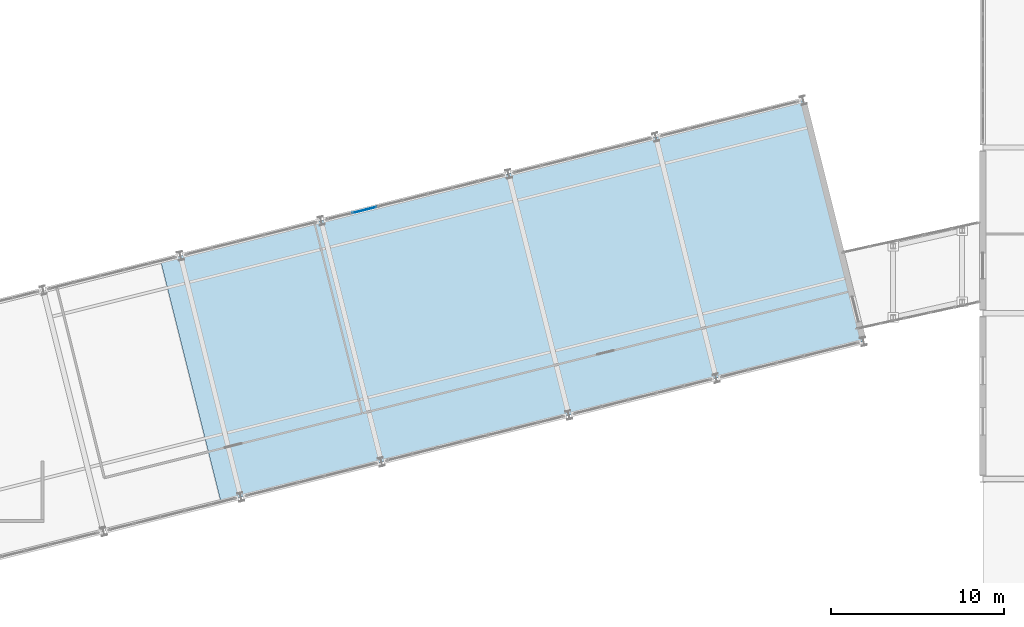
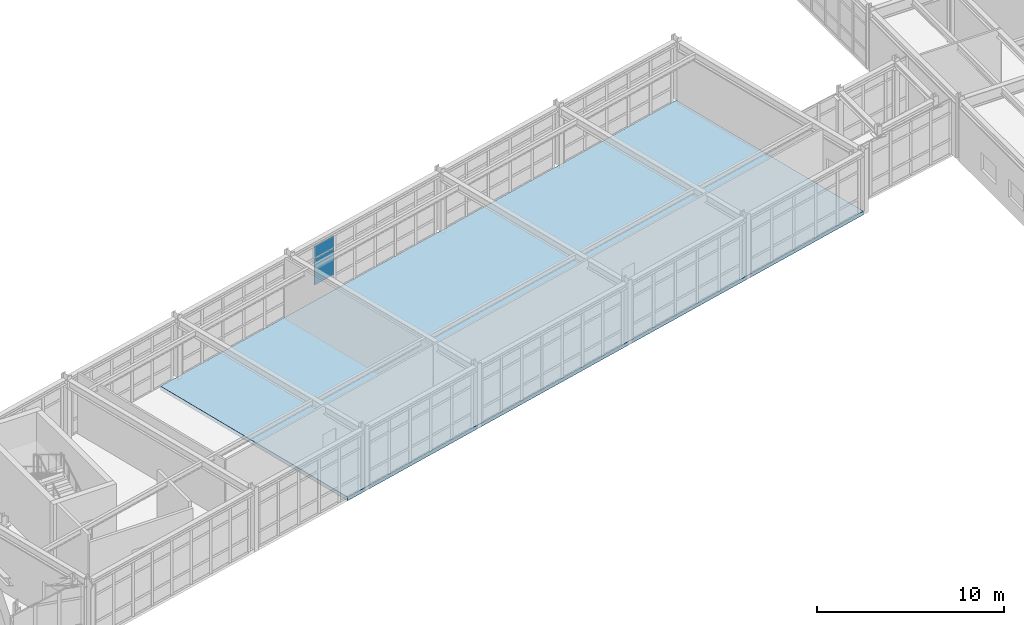
# One storey, part 51 of 88: 2 plates, 1 slab, 1 element without a shape of its own.
"""IFC4 building model written with IfcOpenShell, lengths in metres."""

import ifcopenshell
import ifcopenshell.guid

model = None  # the IFC model being written
_history = None  # IfcOwnerHistory: only IFC2X3 demands one
_inside = {}  # id of a spatial element -> (the spatial element, [elements in it])
_under = {}  # id of a project, library or spatial element -> (it, [spatial elements below it])
_declared = {}  # id of a project -> (the project, [libraries it declares])
_typed = {}  # id of a type object -> (the type object, [elements of that type])
_made_of = {}  # id of a material, layer set ... -> (it, [elements and type objects made of it])


def new_model(schema):
    """Start an empty IFC model of exactly this schema.

    Asked for "IFC4X3", IfcOpenShell would pick the latest addendum, in which some entities
    have other attributes; the version numbers below select the first issue.
    IFC2X3 requires an IfcOwnerHistory on every rooted entity: one is made here for all.
    """
    global model, _history
    if schema == "IFC4X3":
        model = ifcopenshell.file(schema_version=(4, 3, 0, 0))
    else:
        model = ifcopenshell.file(schema=schema)
    _inside.clear()
    _under.clear()
    _declared.clear()
    _typed.clear()
    _made_of.clear()
    _history = None
    if model.schema == "IFC2X3":
        org = make("IfcOrganization", Name="unknown")
        user = make(
            "IfcPersonAndOrganization",
            ThePerson=make("IfcPerson", FamilyName="unknown"),
            TheOrganization=org,
        )
        app = make(
            "IfcApplication",
            ApplicationDeveloper=org,
            Version="unknown",
            ApplicationFullName="unknown",
            ApplicationIdentifier="unknown",
        )
        _history = make(
            "IfcOwnerHistory",
            OwningUser=user,
            OwningApplication=app,
            ChangeAction="ADDED",
            CreationDate=0,
        )
    return model


def make(cls, **values):
    """One entity of the class cls with the attributes given. An attribute that is None is left unset."""
    return model.create_entity(
        cls, **{name: value for name, value in values.items() if value is not None}
    )


def rooted(cls, **values):
    """An entity with a GlobalId (a new one), such as an element, a storey or a relation."""
    return make(cls, GlobalId=ifcopenshell.guid.new(), OwnerHistory=_history, **values)


def si_unit(unit_type, name, prefix=None):
    """IfcSIUnit, for example si_unit("LENGTHUNIT", "METRE", prefix="MILLI")."""
    return make("IfcSIUnit", UnitType=unit_type, Prefix=prefix, Name=name)


def assignment(units):
    """IfcUnitAssignment: the units of a project."""
    return None if units is None else make("IfcUnitAssignment", Units=units)


def point(xyz):
    """IfcCartesianPoint."""
    return None if xyz is None else make("IfcCartesianPoint", Coordinates=xyz)


def direction(xyz):
    """IfcDirection."""
    return None if xyz is None else make("IfcDirection", DirectionRatios=xyz)


def frame(location, z_axis=None, x_axis=None):
    """IfcAxis2Placement3D, a coordinate frame: its origin and axes. An axis left out is left unset."""
    return make(
        "IfcAxis2Placement3D",
        Location=point(location),
        Axis=direction(z_axis),
        RefDirection=direction(x_axis),
    )


def frame_2d(location, x_axis=None):
    """IfcAxis2Placement2D, a coordinate frame in the plane: its origin and x axis."""
    return make(
        "IfcAxis2Placement2D", Location=point(location), RefDirection=direction(x_axis)
    )


def origin():
    """The frame at (0, 0, 0) with its axes left unset."""
    return frame((0.0, 0.0, 0.0))


def origin_2d():
    """The frame at (0, 0) in the plane with its x axis left unset."""
    return frame_2d((0.0, 0.0))


def place(relative_to, where):
    """IfcLocalPlacement: puts the frame where relative to a parent placement (None: the world)."""
    return make(
        "IfcLocalPlacement", PlacementRelTo=relative_to, RelativePlacement=where
    )


def context(
    kind, dimensions, precision=None, world=None, true_north=None, identifier=None
):
    """IfcGeometricRepresentationContext, for example the 3D "Model" context."""
    return make(
        "IfcGeometricRepresentationContext",
        ContextIdentifier=identifier,
        ContextType=kind,
        CoordinateSpaceDimension=dimensions,
        Precision=precision,
        WorldCoordinateSystem=world,
        TrueNorth=true_north,
    )


def subcontext(parent, identifier, kind, view, scale=None):
    """IfcGeometricRepresentationSubContext, for example "Body" below "Model"."""
    return make(
        "IfcGeometricRepresentationSubContext",
        ContextIdentifier=identifier,
        ContextType=kind,
        ParentContext=parent,
        TargetScale=scale,
        TargetView=view,
    )


def project(units=None, contexts=None):
    """IfcProject with its units and contexts."""
    return rooted(
        "IfcProject",
        Name="project",
        RepresentationContexts=contexts,
        UnitsInContext=assignment(units),
    )


def spatial(cls, under=None, at=None, **own):
    """A site, building, storey or space (cls), placed at a placement, below another one or the project."""
    s = rooted(cls, ObjectPlacement=at, **own)
    if under is not None:
        _under.setdefault(under.id(), (under, []))[1].append(s)
    return s


def polyline(points):
    """IfcPolyline through the points."""
    return make("IfcPolyline", Points=[point(p) for p in points])


def profile(cls, at=None, kind="AREA", **sizes):
    """A parametric profile (cls). Its sizes go by their IFC names, for example OverallWidth=200.0."""
    return make(cls, ProfileType=kind, Position=at, **sizes)


def rectangle(**sizes):
    """IfcRectangleProfileDef."""
    return profile("IfcRectangleProfileDef", **sizes)


def outline(outer, holes=None, kind="AREA"):
    """IfcArbitraryClosedProfileDef: a profile drawn as a closed curve; with holes, ...WithVoids."""
    if holes is None:
        return make("IfcArbitraryClosedProfileDef", ProfileType=kind, OuterCurve=outer)
    return make(
        "IfcArbitraryProfileDefWithVoids",
        ProfileType=kind,
        OuterCurve=outer,
        InnerCurves=holes,
    )


def extrude(swept, where, along, depth):
    """IfcExtrudedAreaSolid: the profile swept, set in the frame where, extruded along a direction by depth."""
    return make(
        "IfcExtrudedAreaSolid",
        SweptArea=swept,
        Position=where,
        ExtrudedDirection=direction(along),
        Depth=depth,
    )


def shape(context_of_items, identifier, shape_type, items):
    """IfcShapeRepresentation: the items that make up one representation, for example the "Body"."""
    return make(
        "IfcShapeRepresentation",
        ContextOfItems=context_of_items,
        RepresentationIdentifier=identifier,
        RepresentationType=shape_type,
        Items=items,
    )


def material(Name=None, Category=None):
    """IfcMaterial."""
    return make("IfcMaterial", Name=Name, Category=Category)


def layer(
    of_material, thickness, ventilated=None, Name=None, Category=None, Priority=None
):
    """IfcMaterialLayer: one layer of a wall or slab, of a material (None: an air gap)."""
    return make(
        "IfcMaterialLayer",
        Material=of_material,
        LayerThickness=thickness,
        IsVentilated=ventilated,
        Name=Name,
        Category=Category,
        Priority=Priority,
    )


def layer_set(layers, Name=None):
    """IfcMaterialLayerSet."""
    return make("IfcMaterialLayerSet", MaterialLayers=layers, LayerSetName=Name)


def made_of(thing, what):
    """Note that an element or type object is made of a material, layer set ...; save() writes the relation."""
    if what is not None:
        _made_of.setdefault(what.id(), (what, []))[1].append(thing)
    return thing


def type_object(cls, material=None, **own):
    """A type object (cls), such as IfcWallType, which elements share."""
    return made_of(rooted(cls, **own), material)


def element(
    cls,
    number,
    at=None,
    inside=None,
    cuts=None,
    type_object=None,
    material=None,
    context=None,
    identifier="Body",
    shape_type=None,
    held_by="IfcProductDefinitionShape",
    body=None,
    shapes=None,
    **own,
):
    """One element of the class cls, such as IfcWall. Its Tag is "e" and its number.

    at: its placement. inside: the storey or other place that contains it. cuts: it is an
    opening in that element (IfcRelVoidsElement). A single representation is given by context,
    identifier, shape_type and body (its items); several are given by shapes. held_by: the class
    of the entity that holds the representations. save() writes the other relations.
    """
    e = rooted(cls, Tag="e%d" % number, ObjectPlacement=at, **own)
    if body is not None:
        shapes = [shape(context, identifier, shape_type, body)]
    if shapes is not None:
        e.Representation = make(held_by, Representations=shapes)
    if inside is not None:
        _inside.setdefault(inside.id(), (inside, []))[1].append(e)
    if cuts is not None:
        rooted(
            "IfcRelVoidsElement", RelatingBuildingElement=cuts, RelatedOpeningElement=e
        )
    if type_object is not None:
        _typed.setdefault(type_object.id(), (type_object, []))[1].append(e)
    return made_of(e, material)


def aggregate(whole, parts):
    """IfcRelAggregates: a whole, such as a stair, and the parts it consists of."""
    return rooted("IfcRelAggregates", RelatingObject=whole, RelatedObjects=parts)


def save(model, path):
    """Write the relations noted so far, then the file.

    IfcRelAggregates (storeys below a building ...), IfcRelContainedInSpatialStructure (elements
    in a storey), IfcRelDefinesByType, IfcRelAssociatesMaterial and IfcRelDeclares: one each for
    every whole, place, type object, material and project.
    """
    for whole, parts in _under.values():
        aggregate(whole, parts)
    for where, things in _inside.values():
        rooted(
            "IfcRelContainedInSpatialStructure",
            RelatedElements=things,
            RelatingStructure=where,
        )
    for kind, things in _typed.values():
        rooted("IfcRelDefinesByType", RelatedObjects=things, RelatingType=kind)
    for what, things in _made_of.values():
        rooted("IfcRelAssociatesMaterial", RelatedObjects=things, RelatingMaterial=what)
    for by, libraries in _declared.values():
        rooted("IfcRelDeclares", RelatingContext=by, RelatedDefinitions=libraries)
    model.write(path)


model = new_model("IFC4")

# Units and contexts
model_context = context("Model", 3, precision=1e-05, world=origin(), true_north=direction((0.0, 1.0)))
body_context = subcontext(model_context, "Body", "Model", "MODEL_VIEW")
ifc_project = project(units=[si_unit("LENGTHUNIT", "METRE"), si_unit("AREAUNIT", "SQUARE_METRE"), si_unit("VOLUMEUNIT", "CUBIC_METRE"), si_unit("PLANEANGLEUNIT", "RADIAN"), si_unit("MASSUNIT", "GRAM", prefix="KILO")], contexts=[model_context])

# Site, building, storey
site_placement = place(None, origin())
site = spatial("IfcSite", under=ifc_project, at=site_placement, CompositionType="ELEMENT")
building_placement = place(site_placement, origin())
building = spatial("IfcBuilding", under=site, at=building_placement, Name="Nordkorset Police Headquarters", CompositionType="ELEMENT")
storey_placement = place(building_placement, frame((0.0, 0.0, 9.449951171875)))
storey = spatial("IfcBuildingStorey", under=building, at=storey_placement, Name="L02", CompositionType="ELEMENT", Elevation=9.449951171875)

# Curtain wall, plates
ifc_material_1 = material(Name="Aluminium alloy AW-6060", Category="aluminium")
ifc_layer_1 = layer(ifc_material_1, 0.179931640625, Name="Aluminium alloy AW-6060")
ifc_layer_set_1 = layer_set([ifc_layer_1], Name="Aluminium alloy AW-6060")
curtain_wall_type = type_object("IfcCurtainWallType", Name="CW_Unit_1056x364", PredefinedType="USERDEFINED", material=ifc_layer_set_1)
curtain_wall_placement = place(storey_placement, origin())
curtain_wall = element("IfcCurtainWall", 1, at=curtain_wall_placement, inside=storey, type_object=curtain_wall_type, Name="Unitised Curtain Wall L02 V4N-3", ObjectType="UNITISED CURTAIN WALL", PredefinedType="USERDEFINED")
ifc_material_2 = material(Name="Low-iron triple glazing", Category="glass")
ifc_layer_2 = layer(ifc_material_2, 0.035888671875, Name="Low-iron triple glazing")
ifc_layer_set_2 = layer_set([ifc_layer_2], Name="Low-iron triple glazing")
plate_type = type_object("IfcPlateType", Name="CW_Panel_TripleGlazing_36", PredefinedType="CURTAIN_PANEL", material=ifc_layer_set_2)
plate_1_placement = place(storey_placement, frame((50.55322265625, 63.58154296875, 1.032470703125), z_axis=(0.0, 0.0, 1.0), x_axis=(0.970142388735, 0.242536070676, 0.0)))
plate_1 = element("IfcPlate", 2, at=plate_1_placement, type_object=plate_type, Name="CW-31 panel 2.2", PredefinedType="CURTAIN_PANEL", context=body_context, shape_type="SweptSolid", body=[
    extrude(rectangle(XDim=1.443603515625, YDim=0.035888671875, at=origin_2d()), origin(), (0.0, 0.0, 1.0), 1.72509765625),
])
plate_2_placement = place(storey_placement, frame((50.55322265625, 63.58154296875, 2.822509765625), z_axis=(0.0, 0.0, 1.0), x_axis=(0.970142388735, 0.242536070676, 0.0)))
plate_2 = element("IfcPlate", 3, at=plate_2_placement, type_object=plate_type, Name="CW-31 panel 2.3", PredefinedType="CURTAIN_PANEL", context=body_context, shape_type="SweptSolid", body=[
    extrude(rectangle(XDim=1.443603515625, YDim=0.035888671875, at=origin_2d()), origin(), (0.0, 0.0, 1.0), 0.75244140625),
])
aggregate(curtain_wall, [plate_1, plate_2])

# Slab
ifc_material_3 = material(Name="Concrete C35/45", Category="concrete")
ifc_layer_3 = layer(ifc_material_3, 0.239990234375, Name="Concrete C35/45")
ifc_layer_set_3 = layer_set([ifc_layer_3], Name="Concrete C35/45")
slab_type = type_object("IfcSlabType", Name="Slab_Lab_240", PredefinedType="FLOOR", material=ifc_layer_set_3)
slab_placement = place(storey_placement, frame((0.0, 0.0, -0.239990234375)))
element("IfcSlab", 4, at=slab_placement, inside=storey, type_object=slab_type, Name="Splayed Wing Floor Slab East L02", PredefinedType="FLOOR", context=body_context, shape_type="SweptSolid", body=[
    extrude(outline(polyline([(42.236328125, 46.6591796875), (79.480224609375, 55.969970703125), (75.98779296875, 69.940185546875), (38.743896484375, 60.629150390625), (42.236328125, 46.6591796875)])), origin(), (0.0, 0.0, 1.0), 0.239990234375),
])

save(model, "model.ifc")
